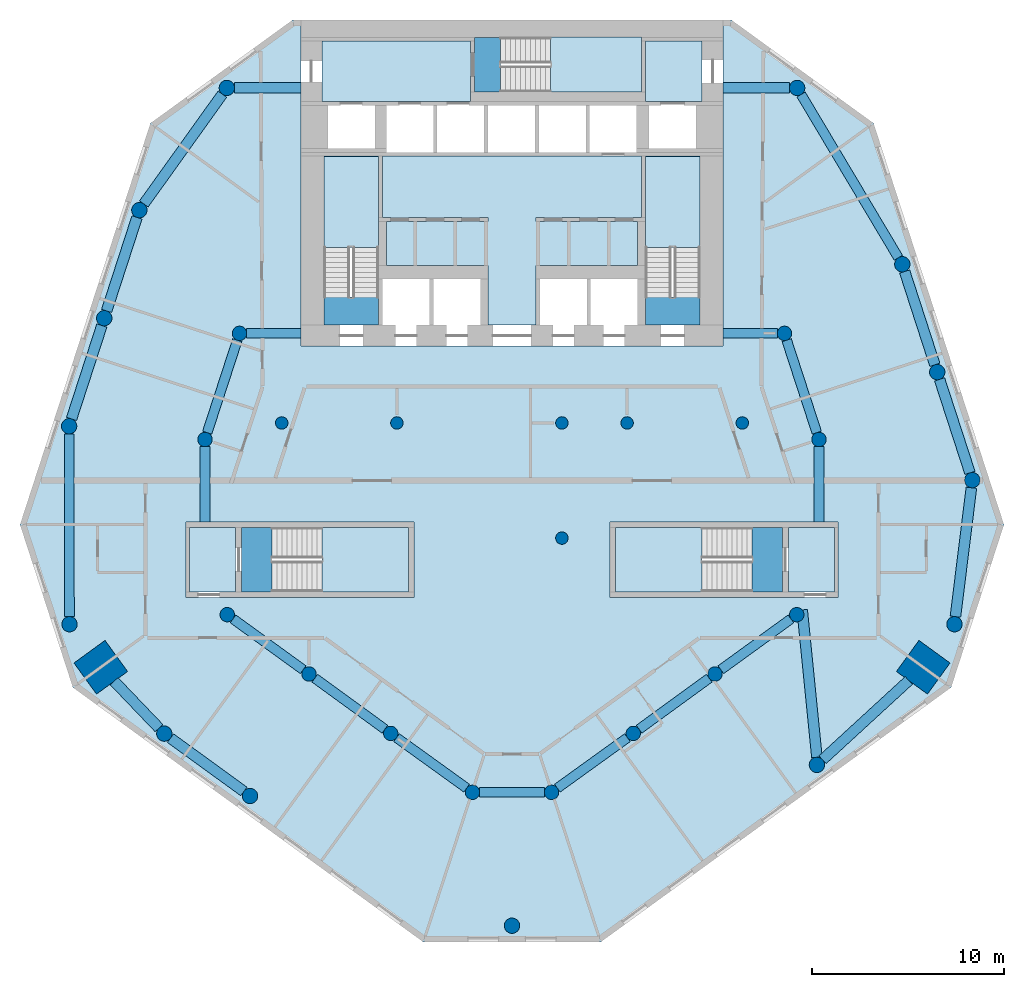
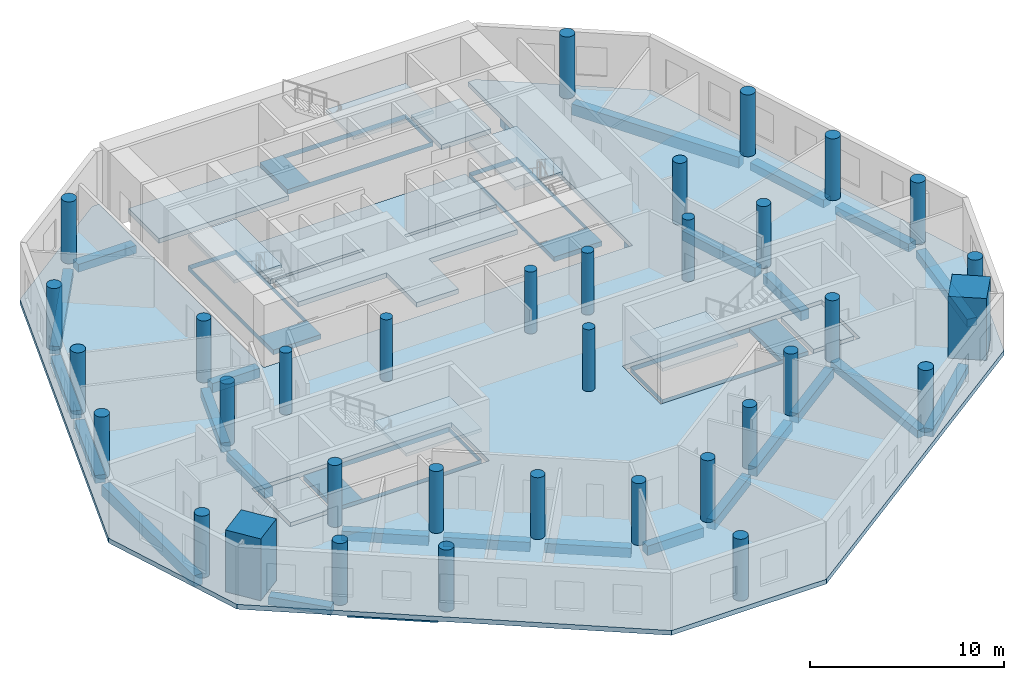
# One storey, part 1 of 9: 34 columns, 27 beams, 16 slabs, 5 elements without a shape of their own.
"""IFC4 building model written with IfcOpenShell, lengths in metres."""

from ifc_helpers import new_model, si_unit, direction, frame, origin, origin_2d, place, context, subcontext, project, spatial, polyline, rectangle, circle, outline, extrude, material, layer, layer_set, material_profile, profile_set, type_object, element, aggregate, save


model = new_model("IFC4")

# Units and contexts
model_context = context("Model", 3, precision=1e-05, world=origin(), true_north=direction((0.0, 1.0)))
body_context = subcontext(model_context, "Body", "Model", "MODEL_VIEW")
ifc_project = project(units=[si_unit("LENGTHUNIT", "METRE"), si_unit("AREAUNIT", "SQUARE_METRE"), si_unit("VOLUMEUNIT", "CUBIC_METRE"), si_unit("PLANEANGLEUNIT", "RADIAN"), si_unit("MASSUNIT", "GRAM", prefix="KILO")], contexts=[model_context])

# Site, building, storey
site_placement = place(None, origin())
site = spatial("IfcSite", under=ifc_project, at=site_placement, CompositionType="ELEMENT")
building_placement = place(site_placement, origin())
building = spatial("IfcBuilding", under=site, at=building_placement, Name="White Candle Pilgrim Tower", CompositionType="ELEMENT")
storey_placement = place(building_placement, frame((0.0, 0.0, 133.699951171875)))
storey = spatial("IfcBuildingStorey", under=building, at=storey_placement, Name="L30", CompositionType="ELEMENT", Elevation=133.699951171875)

# Columns
ifc_material_1 = material(Name="Concrete C80/95", Category="concrete")
ifc_material_profile_1 = material_profile(ifc_material_1, circle(Radius=0.324951171875, at=origin_2d()), Name="RC-COL D650")
ifc_profile_set_1 = profile_set([ifc_material_profile_1], Name="Concrete C80/95")
column_type_1 = type_object("IfcColumnType", Name="Interior column RC-COL D650 C80/95", PredefinedType="COLUMN", material=ifc_profile_set_1)
for number, where, z_axis, x_axis, name in (
    (1, (58.0, 67.0, 0.0), (0.0, 0.0, 1.0), (1.0, 0.0, 0.0), "L30 column I01"),
    (2, (64.0, 67.0, 0.0), (0.0, 0.0, 1.0), (1.0, 0.0, 0.0), "L30 column I02"),
    (3, (72.60009765625, 61.0, 0.0), (0.0, 0.0, 1.0), (1.0, 0.0, 0.0), "L30 column I03"),
    (4, (72.60009765625, 67.0, 0.0), (0.0, 0.0, 1.0), (1.0, 0.0, 0.0), "L30 column I04"),
    (5, (76.0, 67.0, 0.0), (0.0, 0.0, 1.0), (1.0, 0.0, 0.0), "L30 column I05"),
    (6, (82.0, 67.0, 0.0), (0.0, 0.0, 1.0), (1.0, 0.0, 0.0), "L30 column I06"),
):
    element("IfcColumn", number, at=place(storey_placement, frame(where, z_axis=z_axis, x_axis=x_axis)), inside=storey, type_object=column_type_1, Name=name, PredefinedType="COLUMN", context=body_context, shape_type="SweptSolid", body=[
        extrude(circle(Radius=0.324951171875, at=origin_2d()), origin(), (0.0, 0.0, 1.0), 3.900146484375),
    ])
ifc_material_profile_2 = material_profile(ifc_material_1, rectangle(XDim=2.0, YDim=2.0, at=origin_2d()), Name="RC 2000x2000")
ifc_profile_set_2 = profile_set([ifc_material_profile_2], Name="Concrete C80/95")
column_type_2 = type_object("IfcColumnType", Name="Mega column RC 2000x2000 C80/95", PredefinedType="COLUMN", material=ifc_profile_set_2)
for number, where, z_axis, x_axis, name in (
    (7, (48.570068359375, 54.27001953125, 0.0), (0.0, 0.0, 1.0), (-0.809016994375, -0.587785252292, 0.0), "L30 mega column T02"),
    (8, (91.429931640625, 54.27001953125, 0.0), (0.0, 0.0, 1.0), (0.809016994375, -0.587785252292, 0.0), "L30 mega column T07"),
):
    element("IfcColumn", number, at=place(storey_placement, frame(where, z_axis=z_axis, x_axis=x_axis)), inside=storey, type_object=column_type_2, Name=name, PredefinedType="COLUMN", context=body_context, shape_type="SweptSolid", body=[
        extrude(rectangle(XDim=2.0, YDim=2.0, at=origin_2d()), origin(), (0.0, 0.0, 1.0), 3.900146484375),
    ])
ifc_material_profile_3 = material_profile(ifc_material_1, circle(Radius=0.39990234375, at=origin_2d()), Name="RC-COL D800")
ifc_profile_set_3 = profile_set([ifc_material_profile_3], Name="Concrete C80/95")
column_type_3 = type_object("IfcColumnType", Name="Perimeter column RC-COL D800 C80/95", PredefinedType="COLUMN", material=ifc_profile_set_3)
for number, where, z_axis, x_axis, name in (
    (9, (46.93994140625, 56.510009765625, 0.0), (0.0, 0.0, 1.0), (1.0, 0.0, 0.0), "L30 column T01"),
    (10, (51.8798828125, 50.81005859375, 0.0), (0.0, 0.0, 1.0), (1.0, 0.0, 0.0), "L30 column T03"),
    (11, (56.35009765625, 47.56005859375, 0.0), (0.0, 0.0, 1.0), (1.0, 0.0, 0.0), "L30 column T04"),
    (12, (70.0, 40.800048828125, 0.0), (0.0, 0.0, 1.0), (1.0, 0.0, 0.0), "L30 column T05"),
    (13, (85.889892578125, 49.179931640625, 0.0), (0.0, 0.0, 1.0), (1.0, 0.0, 0.0), "L30 column T06"),
    (14, (93.06005859375, 56.510009765625, 0.0), (0.0, 0.0, 1.0), (1.0, 0.0, 0.0), "L30 column T08"),
    (15, (93.989990234375, 64.02001953125, 0.0), (0.0, 0.0, 1.0), (1.0, 0.0, 0.0), "L30 column T09"),
    (16, (92.159912109375, 69.64990234375, 0.0), (0.0, 0.0, 1.0), (1.0, 0.0, 0.0), "L30 column T10"),
    (17, (90.340087890625, 75.27001953125, 0.0), (0.0, 0.0, 1.0), (1.0, 0.0, 0.0), "L30 column T11"),
    (18, (84.860107421875, 84.4599609375, 0.0), (0.0, 0.0, 1.0), (1.0, 0.0, 0.0), "L30 column T12"),
    (19, (55.139892578125, 84.4599609375, 0.0), (0.0, 0.0, 1.0), (1.0, 0.0, 0.0), "L30 column T13"),
    (20, (50.580078125, 78.090087890625, 0.0), (0.0, 0.0, 1.0), (1.0, 0.0, 0.0), "L30 column T14"),
    (21, (48.75, 72.4599609375, 0.0), (0.0, 0.0, 1.0), (1.0, 0.0, 0.0), "L30 column T15"),
    (22, (46.919921875, 66.830078125, 0.0), (0.0, 0.0, 1.0), (1.0, 0.0, 0.0), "L30 column T16"),
):
    element("IfcColumn", number, at=place(storey_placement, frame(where, z_axis=z_axis, x_axis=x_axis)), inside=storey, type_object=column_type_3, Name=name, PredefinedType="COLUMN", context=body_context, shape_type="SweptSolid", body=[
        extrude(circle(Radius=0.39990234375, at=origin_2d()), origin(), (0.0, 0.0, 1.0), 3.900146484375),
    ])
ifc_material_profile_4 = material_profile(ifc_material_1, circle(Radius=0.375, at=origin_2d()), Name="RC-COL D750")
ifc_profile_set_4 = profile_set([ifc_material_profile_4], Name="Concrete C80/95")
column_type_4 = type_object("IfcColumnType", Name="Ring column RC-COL D750 C80/95", PredefinedType="COLUMN", material=ifc_profile_set_4)
for number, where, z_axis, x_axis, name in (
    (23, (55.159912109375, 57.010009765625, 0.0), (0.0, 0.0, 1.0), (1.0, 0.0, 0.0), "L30 column R01"),
    (24, (59.419921875, 53.919921875, 0.0), (0.0, 0.0, 1.0), (1.0, 0.0, 0.0), "L30 column R02"),
    (25, (63.679931640625, 50.820068359375, 0.0), (0.0, 0.0, 1.0), (1.0, 0.0, 0.0), "L30 column R03"),
    (26, (67.93994140625, 47.75, 0.0), (0.0, 0.0, 1.0), (1.0, 0.0, 0.0), "L30 column R04"),
    (27, (72.06005859375, 47.75, 0.0), (0.0, 0.0, 1.0), (1.0, 0.0, 0.0), "L30 column R05"),
    (28, (76.320068359375, 50.820068359375, 0.0), (0.0, 0.0, 1.0), (1.0, 0.0, 0.0), "L30 column R06"),
    (29, (80.580078125, 53.919921875, 0.0), (0.0, 0.0, 1.0), (1.0, 0.0, 0.0), "L30 column R07"),
    (30, (84.840087890625, 57.010009765625, 0.0), (0.0, 0.0, 1.0), (1.0, 0.0, 0.0), "L30 column R08"),
    (31, (86.0, 66.139892578125, 0.0), (0.0, 0.0, 1.0), (1.0, 0.0, 0.0), "L30 column R09"),
    (32, (84.199951171875, 71.669921875, 0.0), (0.0, 0.0, 1.0), (1.0, 0.0, 0.0), "L30 column R10"),
    (33, (55.800048828125, 71.669921875, 0.0), (0.0, 0.0, 1.0), (1.0, 0.0, 0.0), "L30 column R11"),
    (34, (54.0, 66.139892578125, 0.0), (0.0, 0.0, 1.0), (1.0, 0.0, 0.0), "L30 column R12"),
):
    element("IfcColumn", number, at=place(storey_placement, frame(where, z_axis=z_axis, x_axis=x_axis)), inside=storey, type_object=column_type_4, Name=name, PredefinedType="COLUMN", context=body_context, shape_type="SweptSolid", body=[
        extrude(circle(Radius=0.375, at=origin_2d()), origin(), (0.0, 0.0, 1.0), 3.900146484375),
    ])

# Beams
ifc_material_2 = material(Name="Concrete C50/60", Category="concrete")
ifc_material_profile_5 = material_profile(ifc_material_2, rectangle(XDim=0.5, YDim=0.60009765625, at=origin_2d()), Name="RC-BM 500x600")
ifc_profile_set_5 = profile_set([ifc_material_profile_5], Name="Concrete C50/60")
beam_type_1 = type_object("IfcBeamType", Name="Ring beam RC-BM 500x600 C50/60", PredefinedType="BEAM", material=ifc_profile_set_5)
beam_1_placement = place(storey_placement, frame((55.46337890625, 56.789794921875, -0.599853515625), z_axis=(0.809505029053, -0.587112943084, 0.0), x_axis=(0.587112943084, 0.809505029053, 0.0)))
element("IfcBeam", 35, at=beam_1_placement, inside=storey, type_object=beam_type_1, Name="L30 ring beam R01", PredefinedType="BEAM", context=body_context, shape_type="SweptSolid", body=[
    extrude(rectangle(XDim=0.5, YDim=0.60009765625, at=origin_2d()), origin(), (0.0, 0.0, 1.0), 4.512939453125),
])
beam_2_placement = place(storey_placement, frame((59.72314453125, 53.699462890625, -0.599853515625), z_axis=(0.808565500751, -0.588406178583, 0.0), x_axis=(0.588406178583, 0.808565500751, 0.0)))
element("IfcBeam", 36, at=beam_2_placement, inside=storey, type_object=beam_type_1, Name="L30 ring beam R02", PredefinedType="BEAM", context=body_context, shape_type="SweptSolid", body=[
    extrude(rectangle(XDim=0.5, YDim=0.60009765625, at=origin_2d()), origin(), (0.0, 0.0, 1.0), 4.518798828125),
])
beam_3_placement = place(storey_placement, frame((63.984130859375, 50.600830078125, -0.599853515625), z_axis=(0.811270905805, -0.584670434856, 0.0), x_axis=(0.584670434856, 0.811270905805, 0.0)))
element("IfcBeam", 37, at=beam_3_placement, inside=storey, type_object=beam_type_1, Name="L30 ring beam R03", PredefinedType="BEAM", context=body_context, shape_type="SweptSolid", body=[
    extrude(rectangle(XDim=0.5, YDim=0.60009765625, at=origin_2d()), origin(), (0.0, 0.0, 1.0), 4.50146484375),
])
beam_4_placement = place(storey_placement, frame((68.31494140625, 47.75, -0.599853515625), z_axis=(1.0, 0.0, 0.0), x_axis=(0.0, 1.0, 0.0)))
element("IfcBeam", 38, at=beam_4_placement, inside=storey, type_object=beam_type_1, Name="L30 ring beam R04", PredefinedType="BEAM", context=body_context, shape_type="SweptSolid", body=[
    extrude(rectangle(XDim=0.5, YDim=0.60009765625, at=origin_2d()), origin(), (0.0, 0.0, 1.0), 3.3701171875),
])
beam_5_placement = place(storey_placement, frame((72.364013671875, 47.968994140625, -0.599853515625), z_axis=(0.811270905805, 0.584670434856, 0.0), x_axis=(-0.584670434856, 0.811270905805, 0.0)))
element("IfcBeam", 39, at=beam_5_placement, inside=storey, type_object=beam_type_1, Name="L30 ring beam R05", PredefinedType="BEAM", context=body_context, shape_type="SweptSolid", body=[
    extrude(rectangle(XDim=0.5, YDim=0.60009765625, at=origin_2d()), origin(), (0.0, 0.0, 1.0), 4.50146484375),
])
beam_6_placement = place(storey_placement, frame((76.623046875, 51.04052734375, -0.599853515625), z_axis=(0.808565500751, 0.588406178583, 0.0), x_axis=(-0.588406178583, 0.808565500751, 0.0)))
element("IfcBeam", 40, at=beam_6_placement, inside=storey, type_object=beam_type_1, Name="L30 ring beam R06", PredefinedType="BEAM", context=body_context, shape_type="SweptSolid", body=[
    extrude(rectangle(XDim=0.5, YDim=0.60009765625, at=origin_2d()), origin(), (0.0, 0.0, 1.0), 4.518798828125),
])
beam_7_placement = place(storey_placement, frame((80.88330078125, 54.14013671875, -0.599853515625), z_axis=(0.809505029053, 0.587112943084, 0.0), x_axis=(-0.587112943084, 0.809505029053, 0.0)))
element("IfcBeam", 41, at=beam_7_placement, inside=storey, type_object=beam_type_1, Name="L30 ring beam R07", PredefinedType="BEAM", context=body_context, shape_type="SweptSolid", body=[
    extrude(rectangle(XDim=0.5, YDim=0.60009765625, at=origin_2d()), origin(), (0.0, 0.0, 1.0), 4.512939453125),
])
beam_8_placement = place(storey_placement, frame((86.0, 65.764892578125, -0.599853515625), z_axis=(0.0, -1.0, 0.0), x_axis=(1.0, 0.0, 0.0)))
element("IfcBeam", 42, at=beam_8_placement, inside=storey, type_object=beam_type_1, Name="L30 ring beam R08", PredefinedType="BEAM", context=body_context, shape_type="SweptSolid", body=[
    extrude(rectangle(XDim=0.5, YDim=0.60009765625, at=origin_2d()), origin(), (0.0, 0.0, 1.0), 3.914794921875),
])
beam_9_placement = place(storey_placement, frame((85.884033203125, 66.49658203125, -0.599853515625), z_axis=(-0.309554632353, 0.950881659087, 0.0), x_axis=(-0.950881659087, -0.309554632353, 0.0)))
element("IfcBeam", 43, at=beam_9_placement, inside=storey, type_object=beam_type_1, Name="L30 ring beam R09", PredefinedType="BEAM", context=body_context, shape_type="SweptSolid", body=[
    extrude(rectangle(XDim=0.5, YDim=0.60009765625, at=origin_2d()), origin(), (0.0, 0.0, 1.0), 5.065673828125),
])
for number, where, z_axis, x_axis, name in (
    (44, (83.824951171875, 71.669921875, -0.599853515625), (-1.0, 0.0, 0.0), (0.0, -1.0, 0.0), "L30 ring beam R10"),
    (45, (56.175048828125, 71.669921875, -0.599853515625), (1.0, 0.0, 0.0), (0.0, 1.0, 0.0), "L30 ring beam R11"),
):
    element("IfcBeam", number, at=place(storey_placement, frame(where, z_axis=z_axis, x_axis=x_axis)), inside=storey, type_object=beam_type_1, Name=name, PredefinedType="BEAM", context=body_context, shape_type="SweptSolid", body=[
        extrude(rectangle(XDim=0.5, YDim=0.60009765625, at=origin_2d()), origin(), (0.0, 0.0, 1.0), 2.824951171875),
    ])
beam_10_placement = place(storey_placement, frame((55.68408203125, 71.3134765625, -0.599853515625), z_axis=(-0.309554632353, -0.950881659087, 0.0), x_axis=(0.950881659087, -0.309554632353, 0.0)))
element("IfcBeam", 46, at=beam_10_placement, inside=storey, type_object=beam_type_1, Name="L30 ring beam R12", PredefinedType="BEAM", context=body_context, shape_type="SweptSolid", body=[
    extrude(rectangle(XDim=0.5, YDim=0.60009765625, at=origin_2d()), origin(), (0.0, 0.0, 1.0), 5.065673828125),
])
beam_11_placement = place(storey_placement, frame((54.0, 65.764892578125, -0.599853515625), z_axis=(0.0, -1.0, 0.0), x_axis=(1.0, 0.0, 0.0)))
element("IfcBeam", 47, at=beam_11_placement, inside=storey, type_object=beam_type_1, Name="L30 ring beam R13", PredefinedType="BEAM", context=body_context, shape_type="SweptSolid", body=[
    extrude(rectangle(XDim=0.5, YDim=0.60009765625, at=origin_2d()), origin(), (0.0, 0.0, 1.0), 3.914794921875),
])
ifc_material_profile_6 = material_profile(ifc_material_2, rectangle(XDim=0.5, YDim=0.699951171875, at=origin_2d()), Name="RC-BM 500x700")
ifc_profile_set_6 = profile_set([ifc_material_profile_6], Name="Concrete C50/60")
beam_type_2 = type_object("IfcBeamType", Name="Spandrel beam RC-BM 500x700 C50/60", PredefinedType="BEAM", material=ifc_profile_set_6)
beam_12_placement = place(storey_placement, frame((90.13525390625, 75.61328125, -0.64990234375), z_axis=(-0.51215480768, 0.858893155736, 0.0), x_axis=(-0.858893155736, -0.51215480768, 0.0)))
element("IfcBeam", 48, at=beam_12_placement, inside=storey, type_object=beam_type_2, Name="L30 spandrel beam T08", PredefinedType="BEAM", context=body_context, shape_type="SweptSolid", body=[
    extrude(rectangle(XDim=0.5, YDim=0.699951171875, at=origin_2d()), origin(), (0.0, 0.0, 1.0), 9.900390625),
])
beam_13_placement = place(storey_placement, frame((46.9208984375, 66.429931640625, -0.64990234375), z_axis=(0.001923369269, -0.999998150324, 0.0), x_axis=(0.999998150324, 0.001923369269, 0.0)))
element("IfcBeam", 49, at=beam_13_placement, inside=storey, type_object=beam_type_2, Name="L30 spandrel beam T14", PredefinedType="BEAM", context=body_context, shape_type="SweptSolid", body=[
    extrude(rectangle(XDim=0.5, YDim=0.699951171875, at=origin_2d()), origin(), (0.0, 0.0, 1.0), 9.52001953125),
])
ifc_material_profile_7 = material_profile(ifc_material_2, rectangle(XDim=0.550048828125, YDim=0.5, at=origin_2d()), Name="RC-BM 550x500")
ifc_profile_set_7 = profile_set([ifc_material_profile_7], Name="Concrete C50/60")
beam_type_3 = type_object("IfcBeamType", Name="Spandrel beam RC-BM 550x500 C50/60", PredefinedType="BEAM", material=ifc_profile_set_7)
beam_14_placement = place(storey_placement, frame((49.267578125, 53.540771484375, -0.550048828125), z_axis=(0.6912554522, -0.722610475847, 0.0), x_axis=(0.722610475847, 0.6912554522, 0.0)))
element("IfcBeam", 50, at=beam_14_placement, inside=storey, type_object=beam_type_3, Name="L30 spandrel beam T01", PredefinedType="BEAM", context=body_context, shape_type="SweptSolid", body=[
    extrude(rectangle(XDim=0.550048828125, YDim=0.5, at=origin_2d()), origin(), (0.0, 0.0, 1.0), 3.379150390625),
])
beam_15_placement = place(storey_placement, frame((52.203369140625, 50.574951171875, -0.550048828125), z_axis=(0.808812014489, -0.5880672795, 0.0), x_axis=(0.5880672795, 0.808812014489, 0.0)))
element("IfcBeam", 51, at=beam_15_placement, inside=storey, type_object=beam_type_3, Name="L30 spandrel beam T02", PredefinedType="BEAM", context=body_context, shape_type="SweptSolid", body=[
    extrude(rectangle(XDim=0.550048828125, YDim=0.5, at=origin_2d()), origin(), (0.0, 0.0, 1.0), 4.72705078125),
])
beam_16_placement = place(storey_placement, frame((85.889892578125, 49.580078125, -0.550048828125), z_axis=(-0.099547579937, 0.995032803142, 0.0), x_axis=(-0.995032803142, -0.099547579937, 0.0)))
element("IfcBeam", 52, at=beam_16_placement, inside=storey, type_object=beam_type_3, Name="L30 spandrel beam T03", PredefinedType="BEAM", context=body_context, shape_type="SweptSolid", body=[
    extrude(rectangle(XDim=0.550048828125, YDim=0.5, at=origin_2d()), origin(), (0.0, 0.0, 1.0), 7.715576171875),
])
beam_17_placement = place(storey_placement, frame((86.184326171875, 49.450439453125, -0.550048828125), z_axis=(0.736374917929, 0.67657370644, 0.0), x_axis=(-0.67657370644, 0.736374917929, 0.0)))
element("IfcBeam", 53, at=beam_17_placement, inside=storey, type_object=beam_type_3, Name="L30 spandrel beam T04", PredefinedType="BEAM", context=body_context, shape_type="SweptSolid", body=[
    extrude(rectangle(XDim=0.550048828125, YDim=0.5, at=origin_2d()), origin(), (0.0, 0.0, 1.0), 6.103271484375),
])
beam_18_placement = place(storey_placement, frame((93.109130859375, 56.906982421875, -0.550048828125), z_axis=(0.122911300598, 0.992417660154, 0.0), x_axis=(-0.992417660154, 0.122911300598, 0.0)))
element("IfcBeam", 54, at=beam_18_placement, inside=storey, type_object=beam_type_3, Name="L30 spandrel beam T05", PredefinedType="BEAM", context=body_context, shape_type="SweptSolid", body=[
    extrude(rectangle(XDim=0.550048828125, YDim=0.5, at=origin_2d()), origin(), (0.0, 0.0, 1.0), 6.767333984375),
])
beam_19_placement = place(storey_placement, frame((93.866455078125, 64.400390625, -0.550048828125), z_axis=(-0.309123808161, 0.95102180376, 0.0), x_axis=(-0.95102180376, -0.309123808161, 0.0)))
element("IfcBeam", 55, at=beam_19_placement, inside=storey, type_object=beam_type_3, Name="L30 spandrel beam T06", PredefinedType="BEAM", context=body_context, shape_type="SweptSolid", body=[
    extrude(rectangle(XDim=0.550048828125, YDim=0.5, at=origin_2d()), origin(), (0.0, 0.0, 1.0), 5.1201171875),
])
beam_20_placement = place(storey_placement, frame((92.036865234375, 70.030517578125, -0.550048828125), z_axis=(-0.308114253226, 0.951349361149, 0.0), x_axis=(-0.951349361149, -0.308114253226, 0.0)))
element("IfcBeam", 56, at=beam_20_placement, inside=storey, type_object=beam_type_3, Name="L30 spandrel beam T07", PredefinedType="BEAM", context=body_context, shape_type="SweptSolid", body=[
    extrude(rectangle(XDim=0.550048828125, YDim=0.5, at=origin_2d()), origin(), (0.0, 0.0, 1.0), 5.107666015625),
])
for number, where, z_axis, x_axis, name in (
    (57, (84.4599609375, 84.4599609375, -0.550048828125), (-1.0, 0.0, 0.0), (0.0, -1.0, 0.0), "L30 spandrel beam T09"),
    (58, (55.5400390625, 84.4599609375, -0.550048828125), (1.0, 0.0, 0.0), (0.0, 1.0, 0.0), "L30 spandrel beam T10"),
):
    element("IfcBeam", number, at=place(storey_placement, frame(where, z_axis=z_axis, x_axis=x_axis)), inside=storey, type_object=beam_type_3, Name=name, PredefinedType="BEAM", context=body_context, shape_type="SweptSolid", body=[
        extrude(rectangle(XDim=0.550048828125, YDim=0.5, at=origin_2d()), origin(), (0.0, 0.0, 1.0), 3.4599609375),
    ])
beam_21_placement = place(storey_placement, frame((54.9072265625, 84.135009765625, -0.550048828125), z_axis=(-0.582065224797, -0.813142099563, 0.0), x_axis=(0.813142099563, -0.582065224797, 0.0)))
element("IfcBeam", 59, at=beam_21_placement, inside=storey, type_object=beam_type_3, Name="L30 spandrel beam T11", PredefinedType="BEAM", context=body_context, shape_type="SweptSolid", body=[
    extrude(rectangle(XDim=0.550048828125, YDim=0.5, at=origin_2d()), origin(), (0.0, 0.0, 1.0), 7.034423828125),
])
for number, where, z_axis, x_axis, name in (
    (60, (50.456298828125, 77.709716796875, -0.550048828125), (-0.309123808161, -0.95102180376, 0.0), (0.95102180376, -0.309123808161, 0.0), "L30 spandrel beam T12"),
    (61, (48.62646484375, 72.07958984375, -0.550048828125), (-0.309123808161, -0.95102180376, 0.0), (0.95102180376, -0.309123808161, 0.0), "L30 spandrel beam T13"),
):
    element("IfcBeam", number, at=place(storey_placement, frame(where, z_axis=z_axis, x_axis=x_axis)), inside=storey, type_object=beam_type_3, Name=name, PredefinedType="BEAM", context=body_context, shape_type="SweptSolid", body=[
        extrude(rectangle(XDim=0.550048828125, YDim=0.5, at=origin_2d()), origin(), (0.0, 0.0, 1.0), 5.1201171875),
    ])

# Slabs
ifc_material_3 = material(Name="Concrete C40/50", Category="concrete")
ifc_layer_1 = layer(ifc_material_3, 0.300048828125)
ifc_layer_set_1 = layer_set([ifc_layer_1], Name="Core floor slab 300 mm Concrete C40/50")
slab_type_1 = type_object("IfcSlabType", Name="Core floor slab 300 mm Concrete C40/50", PredefinedType="FLOOR", material=ifc_layer_set_1)
slab_1_placement = place(storey_placement, frame((0.0, 0.0, -0.300048828125)))
element("IfcSlab", 62, at=slab_1_placement, inside=storey, type_object=slab_type_1, Name="CF-L30-01", PredefinedType="FLOOR", context=body_context, shape_type="SweptSolid", body=[
    extrude(outline(polyline([(55.60009765625, 58.199951171875), (53.199951171875, 58.199951171875), (53.199951171875, 61.550048828125), (55.60009765625, 61.550048828125), (55.60009765625, 58.199951171875)])), origin(), (0.0, 0.0, 1.0), 0.300048828125),
])
slab_2_placement = place(storey_placement, frame((0.0, 0.0, -0.300048828125)))
element("IfcSlab", 63, at=slab_2_placement, inside=storey, type_object=slab_type_1, Name="CF-L30-02", PredefinedType="FLOOR", context=body_context, shape_type="SweptSolid", body=[
    extrude(outline(polyline([(55.89990234375, 58.199951171875), (55.89990234375, 61.550048828125), (64.60009765625, 61.550048828125), (64.60009765625, 58.199951171875), (55.89990234375, 58.199951171875)]), holes=[polyline([(57.501953125, 61.548095703125), (57.501953125, 58.201904296875), (64.597900390625, 58.201904296875), (64.597900390625, 61.548095703125), (57.501953125, 61.548095703125)])]), origin(), (0.0, 0.0, 1.0), 0.300048828125),
])
slab_3_placement = place(storey_placement, frame((0.0, 0.0, -0.300048828125)))
element("IfcSlab", 64, at=slab_3_placement, inside=storey, type_object=slab_type_1, Name="CF-L30-03", PredefinedType="FLOOR", context=body_context, shape_type="SweptSolid", body=[
    extrude(outline(polyline([(75.39990234375, 58.199951171875), (75.39990234375, 61.550048828125), (84.10009765625, 61.550048828125), (84.10009765625, 58.199951171875), (75.39990234375, 58.199951171875)]), holes=[polyline([(82.498046875, 58.201904296875), (82.498046875, 61.548095703125), (75.402099609375, 61.548095703125), (75.402099609375, 58.201904296875), (82.498046875, 58.201904296875)])]), origin(), (0.0, 0.0, 1.0), 0.300048828125),
])
slab_4_placement = place(storey_placement, frame((0.0, 0.0, -0.300048828125)))
element("IfcSlab", 65, at=slab_4_placement, inside=storey, type_object=slab_type_1, Name="CF-L30-04", PredefinedType="FLOOR", context=body_context, shape_type="SweptSolid", body=[
    extrude(outline(polyline([(86.800048828125, 58.199951171875), (84.39990234375, 58.199951171875), (84.39990234375, 61.550048828125), (86.800048828125, 61.550048828125), (86.800048828125, 58.199951171875)])), origin(), (0.0, 0.0, 1.0), 0.300048828125),
])
slab_5_placement = place(storey_placement, frame((0.0, 0.0, -0.300048828125)))
element("IfcSlab", 66, at=slab_5_placement, inside=storey, type_object=slab_type_1, Name="CF-L30-05", PredefinedType="FLOOR", context=body_context, shape_type="SweptSolid", body=[
    extrude(outline(polyline([(76.75, 87.10009765625), (76.75, 86.89990234375), (76.75, 84.25), (68.050048828125, 84.25), (68.050048828125, 86.89990234375), (68.050048828125, 87.10009765625), (76.75, 87.10009765625)]), holes=[polyline([(69.402099609375, 87.097900390625), (69.402099609375, 84.251953125), (76.748046875, 84.251953125), (76.748046875, 87.097900390625), (69.402099609375, 87.097900390625)])]), origin(), (0.0, 0.0, 1.0), 0.300048828125),
])
slab_6_placement = place(storey_placement, frame((0.0, 0.0, -0.300048828125)))
element("IfcSlab", 67, at=slab_6_placement, inside=storey, type_object=slab_type_1, Name="CF-L30-06", PredefinedType="FLOOR", context=body_context, shape_type="SweptSolid", body=[
    extrude(outline(polyline([(79.89990234375, 86.89990234375), (79.89990234375, 83.75), (76.949951171875, 83.75), (76.949951171875, 84.25), (76.949951171875, 86.89990234375), (79.89990234375, 86.89990234375)])), origin(), (0.0, 0.0, 1.0), 0.300048828125),
])
slab_7_placement = place(storey_placement, frame((0.0, 0.0, -0.300048828125)))
element("IfcSlab", 68, at=slab_7_placement, inside=storey, type_object=slab_type_1, Name="CF-L30-07", PredefinedType="FLOOR", context=body_context, shape_type="SweptSolid", body=[
    extrude(outline(polyline([(76.949951171875, 72.10009765625), (76.949951171875, 74.5), (76.949951171875, 75.199951171875), (76.949951171875, 77.5), (76.949951171875, 77.699951171875), (76.949951171875, 80.89990234375), (79.800048828125, 80.89990234375), (79.800048828125, 72.10009765625), (76.949951171875, 72.10009765625)]), holes=[polyline([(76.951904296875, 73.552001953125), (79.798095703125, 73.552001953125), (79.798095703125, 80.89794921875), (76.951904296875, 80.89794921875), (76.951904296875, 73.552001953125)])]), origin(), (0.0, 0.0, 1.0), 0.300048828125),
])
slab_8_placement = place(storey_placement, frame((0.0, 0.0, -0.300048828125)))
element("IfcSlab", 69, at=slab_8_placement, inside=storey, type_object=slab_type_1, Name="CF-L30-08", PredefinedType="FLOOR", context=body_context, shape_type="SweptSolid", body=[
    extrude(outline(polyline([(68.75, 72.10009765625), (68.75, 74.5), (68.75, 75.199951171875), (63.449951171875, 75.199951171875), (63.449951171875, 77.5), (68.75, 77.5), (68.75, 77.699951171875), (63.25, 77.699951171875), (63.25, 80.89990234375), (76.75, 80.89990234375), (76.75, 77.699951171875), (71.25, 77.699951171875), (71.25, 77.5), (76.550048828125, 77.5), (76.550048828125, 75.199951171875), (71.25, 75.199951171875), (71.25, 74.5), (71.25, 72.10009765625), (68.75, 72.10009765625)])), origin(), (0.0, 0.0, 1.0), 0.300048828125),
])
slab_9_placement = place(storey_placement, frame((0.0, 0.0, -0.300048828125)))
element("IfcSlab", 70, at=slab_9_placement, inside=storey, type_object=slab_type_1, Name="CF-L30-09", PredefinedType="FLOOR", context=body_context, shape_type="SweptSolid", body=[
    extrude(outline(polyline([(60.199951171875, 72.10009765625), (60.199951171875, 80.89990234375), (63.050048828125, 80.89990234375), (63.050048828125, 77.699951171875), (63.050048828125, 77.5), (63.050048828125, 75.199951171875), (63.050048828125, 74.5), (63.050048828125, 72.10009765625), (60.199951171875, 72.10009765625)]), holes=[polyline([(60.201904296875, 73.552001953125), (63.048095703125, 73.552001953125), (63.048095703125, 80.89794921875), (60.201904296875, 80.89794921875), (60.201904296875, 73.552001953125)])]), origin(), (0.0, 0.0, 1.0), 0.300048828125),
])
slab_10_placement = place(storey_placement, frame((0.0, 0.0, -0.300048828125)))
element("IfcSlab", 71, at=slab_10_placement, inside=storey, type_object=slab_type_1, Name="CF-L30-10", PredefinedType="FLOOR", context=body_context, shape_type="SweptSolid", body=[
    extrude(outline(polyline([(60.10009765625, 86.89990234375), (67.85009765625, 86.89990234375), (67.85009765625, 84.25), (67.85009765625, 83.75), (60.10009765625, 83.75), (60.10009765625, 86.89990234375)])), origin(), (0.0, 0.0, 1.0), 0.300048828125),
])
ifc_layer_2 = layer(ifc_material_3, 0.300048828125)
ifc_layer_set_2 = layer_set([ifc_layer_2], Name="Floor slab 300 REI 120")
slab_type_2 = type_object("IfcSlabType", Name="Floor slab 300 REI 120", PredefinedType="FLOOR", material=ifc_layer_set_2)
slab_11_placement = place(storey_placement, frame((0.0, 0.0, -0.300048828125)))
element("IfcSlab", 72, at=slab_11_placement, inside=storey, type_object=slab_type_2, Name="L30 floor slab", PredefinedType="FLOOR", context=body_context, shape_type="SweptSolid", body=[
    extrude(outline(polyline([(65.3798828125, 39.94677734375), (74.6201171875, 39.94677734375), (92.8837890625, 53.216064453125), (95.639892578125, 61.69921875), (88.842529296875, 82.619384765625), (81.43701171875, 88.0), (81.0, 88.0), (81.0, 71.0), (59.0, 71.0), (59.0, 88.0), (58.56298828125, 88.0), (51.157470703125, 82.619384765625), (44.360107421875, 61.69921875), (47.1162109375, 53.216064453125), (65.3798828125, 39.94677734375)]), holes=[polyline([(53.0, 57.89990234375), (53.0, 61.85009765625), (64.89990234375, 61.85009765625), (64.89990234375, 57.89990234375), (53.0, 57.89990234375)]), polyline([(75.10009765625, 57.89990234375), (75.10009765625, 61.85009765625), (87.0, 61.85009765625), (87.0, 57.89990234375), (75.10009765625, 57.89990234375)])]), origin(), (0.0, 0.0, 1.0), 0.300048828125),
])

# Stair, slab
stair_type_1 = type_object("IfcStairType", Name="Exit stair 1 flight width 1350 mm", PredefinedType="HALF_TURN_STAIR", material=ifc_material_3)
stair_1_placement = place(storey_placement, origin())
stair_1 = element("IfcStair", 73, at=stair_1_placement, inside=storey, type_object=stair_type_1, Name="L30 stair 1", PredefinedType="NOTDEFINED")
ifc_layer_3 = layer(ifc_material_3, 0.199951171875)
ifc_layer_set_3 = layer_set([ifc_layer_3], Name="Stair landing Concrete C40/50")
slab_type_3 = type_object("IfcSlabType", Name="Stair landing Concrete C40/50", PredefinedType="LANDING", material=ifc_layer_set_3)
slab_12_placement = place(storey_placement, frame((0.0, 0.0, 1.75)))
slab_12 = element("IfcSlab", 74, at=slab_12_placement, type_object=slab_type_3, Name="ST1 landing 1", PredefinedType="LANDING", context=body_context, shape_type="SweptSolid", body=[
    extrude(outline(polyline([(63.052001953125, 76.14794921875), (60.197998046875, 76.14794921875), (60.197998046875, 80.902099609375), (63.052001953125, 80.902099609375), (63.052001953125, 76.14794921875)])), origin(), (0.0, 0.0, 1.0), 0.199951171875),
])
aggregate(stair_1, [slab_12])

stair_type_2 = type_object("IfcStairType", Name="Exit stair 2 flight width 1350 mm", PredefinedType="HALF_TURN_STAIR", material=ifc_material_3)
stair_2_placement = place(storey_placement, origin())
stair_2 = element("IfcStair", 75, at=stair_2_placement, inside=storey, type_object=stair_type_2, Name="L30 stair 2", PredefinedType="NOTDEFINED")
slab_13_placement = place(storey_placement, frame((0.0, 0.0, 1.75)))
slab_13 = element("IfcSlab", 76, at=slab_13_placement, type_object=slab_type_3, Name="ST2 landing 1", PredefinedType="LANDING", context=body_context, shape_type="SweptSolid", body=[
    extrude(outline(polyline([(79.802001953125, 76.14794921875), (76.947998046875, 76.14794921875), (76.947998046875, 80.902099609375), (79.802001953125, 80.902099609375), (79.802001953125, 76.14794921875)])), origin(), (0.0, 0.0, 1.0), 0.199951171875),
])
aggregate(stair_2, [slab_13])

stair_type_3 = type_object("IfcStairType", Name="Exit stair 3 flight width 1350 mm", PredefinedType="HALF_TURN_STAIR", material=ifc_material_3)
stair_3_placement = place(storey_placement, origin())
stair_3 = element("IfcStair", 77, at=stair_3_placement, inside=storey, type_object=stair_type_3, Name="L30 stair 3", PredefinedType="NOTDEFINED")
slab_14_placement = place(storey_placement, frame((0.0, 0.0, 1.75)))
slab_14 = element("IfcSlab", 78, at=slab_14_placement, type_object=slab_type_3, Name="ST3 landing 1", PredefinedType="LANDING", context=body_context, shape_type="SweptSolid", body=[
    extrude(outline(polyline([(71.998046875, 84.248046875), (71.998046875, 87.10205078125), (76.751953125, 87.10205078125), (76.751953125, 84.248046875), (71.998046875, 84.248046875)])), origin(), (0.0, 0.0, 1.0), 0.199951171875),
])
aggregate(stair_3, [slab_14])

stair_type_4 = type_object("IfcStairType", Name="Exit stair 4 flight width 1600 mm", PredefinedType="HALF_TURN_STAIR", material=ifc_material_3)
stair_4_placement = place(storey_placement, origin())
stair_4 = element("IfcStair", 79, at=stair_4_placement, inside=storey, type_object=stair_type_4, Name="L30 stair 4", PredefinedType="NOTDEFINED")
slab_15_placement = place(storey_placement, frame((0.0, 0.0, 1.75)))
slab_15 = element("IfcSlab", 80, at=slab_15_placement, type_object=slab_type_3, Name="ST4 landing 1", PredefinedType="LANDING", context=body_context, shape_type="SweptSolid", body=[
    extrude(outline(polyline([(79.902099609375, 61.552001953125), (79.902099609375, 58.197998046875), (75.39794921875, 58.197998046875), (75.39794921875, 61.552001953125), (79.902099609375, 61.552001953125)])), origin(), (0.0, 0.0, 1.0), 0.199951171875),
])
aggregate(stair_4, [slab_15])

stair_type_5 = type_object("IfcStairType", Name="Exit stair 5 flight width 1600 mm", PredefinedType="HALF_TURN_STAIR", material=ifc_material_3)
stair_5_placement = place(storey_placement, origin())
stair_5 = element("IfcStair", 81, at=stair_5_placement, inside=storey, type_object=stair_type_5, Name="L30 stair 5", PredefinedType="NOTDEFINED")
slab_16_placement = place(storey_placement, frame((0.0, 0.0, 1.75)))
slab_16 = element("IfcSlab", 82, at=slab_16_placement, type_object=slab_type_3, Name="ST5 landing 1", PredefinedType="LANDING", context=body_context, shape_type="SweptSolid", body=[
    extrude(outline(polyline([(60.097900390625, 58.197998046875), (60.097900390625, 61.552001953125), (64.60205078125, 61.552001953125), (64.60205078125, 58.197998046875), (60.097900390625, 58.197998046875)])), origin(), (0.0, 0.0, 1.0), 0.199951171875),
])
aggregate(stair_5, [slab_16])

save(model, "model.ifc")
